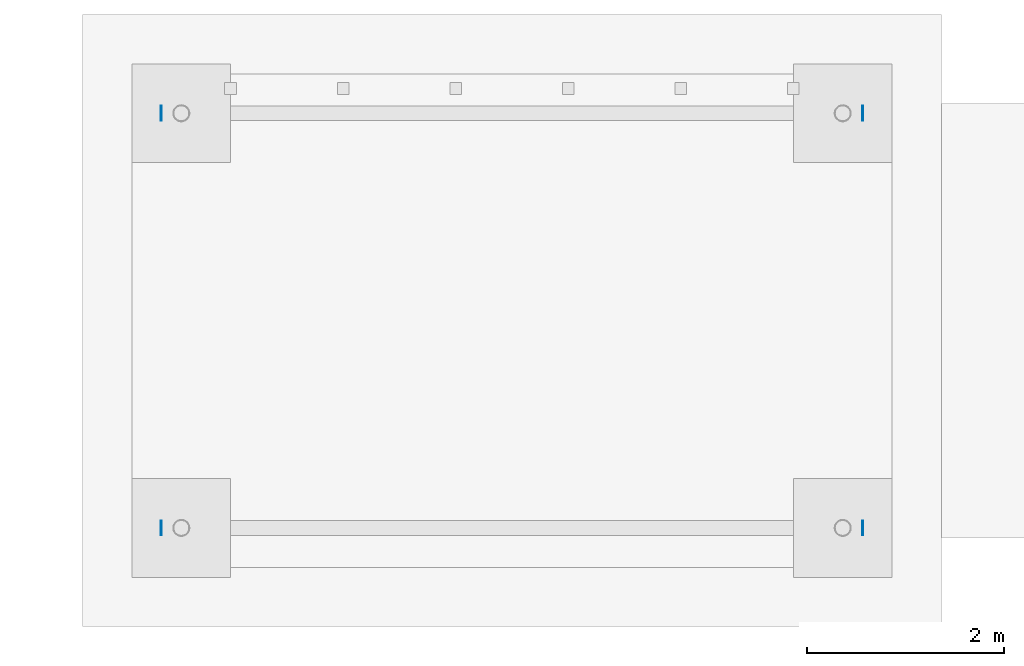
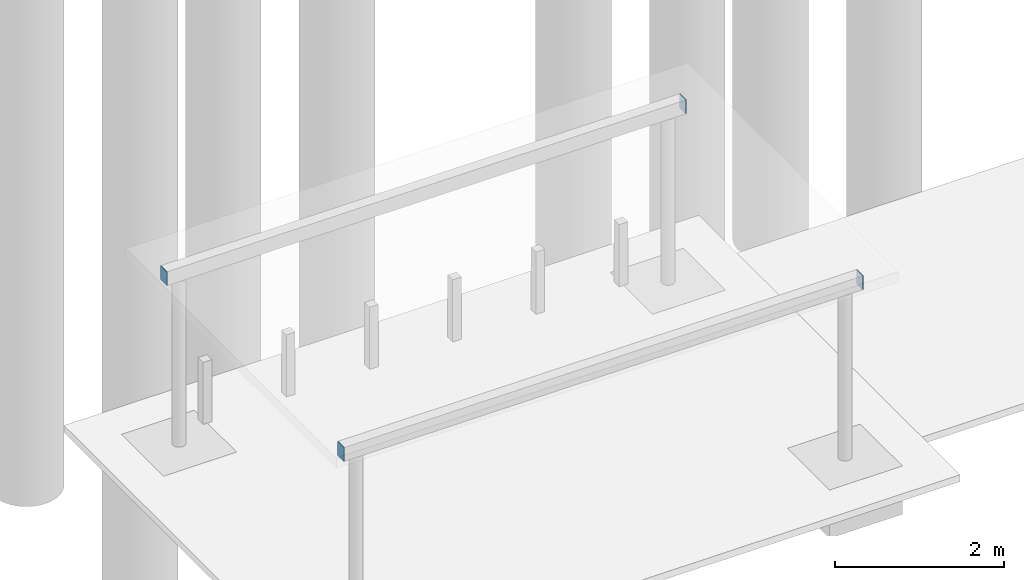
# One storey, part 59 of 99: 4 discrete accessories.
"""IFC4 building model written with IfcOpenShell, lengths in metres."""

import ifcopenshell
import ifcopenshell.guid

model = None  # the IFC model being written
_history = None  # IfcOwnerHistory: only IFC2X3 demands one
_inside = {}  # id of a spatial element -> (the spatial element, [elements in it])
_under = {}  # id of a project, library or spatial element -> (it, [spatial elements below it])
_declared = {}  # id of a project -> (the project, [libraries it declares])
_typed = {}  # id of a type object -> (the type object, [elements of that type])
_made_of = {}  # id of a material, layer set ... -> (it, [elements and type objects made of it])


def new_model(schema):
    """Start an empty IFC model of exactly this schema.

    Asked for "IFC4X3", IfcOpenShell would pick the latest addendum, in which some entities
    have other attributes; the version numbers below select the first issue.
    IFC2X3 requires an IfcOwnerHistory on every rooted entity: one is made here for all.
    """
    global model, _history
    if schema == "IFC4X3":
        model = ifcopenshell.file(schema_version=(4, 3, 0, 0))
    else:
        model = ifcopenshell.file(schema=schema)
    _inside.clear()
    _under.clear()
    _declared.clear()
    _typed.clear()
    _made_of.clear()
    _history = None
    if model.schema == "IFC2X3":
        org = make("IfcOrganization", Name="unknown")
        user = make(
            "IfcPersonAndOrganization",
            ThePerson=make("IfcPerson", FamilyName="unknown"),
            TheOrganization=org,
        )
        app = make(
            "IfcApplication",
            ApplicationDeveloper=org,
            Version="unknown",
            ApplicationFullName="unknown",
            ApplicationIdentifier="unknown",
        )
        _history = make(
            "IfcOwnerHistory",
            OwningUser=user,
            OwningApplication=app,
            ChangeAction="ADDED",
            CreationDate=0,
        )
    return model


def make(cls, **values):
    """One entity of the class cls with the attributes given. An attribute that is None is left unset."""
    return model.create_entity(
        cls, **{name: value for name, value in values.items() if value is not None}
    )


def rooted(cls, **values):
    """An entity with a GlobalId (a new one), such as an element, a storey or a relation."""
    return make(cls, GlobalId=ifcopenshell.guid.new(), OwnerHistory=_history, **values)


def si_unit(unit_type, name, prefix=None):
    """IfcSIUnit, for example si_unit("LENGTHUNIT", "METRE", prefix="MILLI")."""
    return make("IfcSIUnit", UnitType=unit_type, Prefix=prefix, Name=name)


def assignment(units):
    """IfcUnitAssignment: the units of a project."""
    return None if units is None else make("IfcUnitAssignment", Units=units)


def point(xyz):
    """IfcCartesianPoint."""
    return None if xyz is None else make("IfcCartesianPoint", Coordinates=xyz)


def direction(xyz):
    """IfcDirection."""
    return None if xyz is None else make("IfcDirection", DirectionRatios=xyz)


def frame(location, z_axis=None, x_axis=None):
    """IfcAxis2Placement3D, a coordinate frame: its origin and axes. An axis left out is left unset."""
    return make(
        "IfcAxis2Placement3D",
        Location=point(location),
        Axis=direction(z_axis),
        RefDirection=direction(x_axis),
    )


def frame_2d(location, x_axis=None):
    """IfcAxis2Placement2D, a coordinate frame in the plane: its origin and x axis."""
    return make(
        "IfcAxis2Placement2D", Location=point(location), RefDirection=direction(x_axis)
    )


def origin():
    """The frame at (0, 0, 0) with its axes left unset."""
    return frame((0.0, 0.0, 0.0))


def origin_2d():
    """The frame at (0, 0) in the plane with its x axis left unset."""
    return frame_2d((0.0, 0.0))


def place(relative_to, where):
    """IfcLocalPlacement: puts the frame where relative to a parent placement (None: the world)."""
    return make(
        "IfcLocalPlacement", PlacementRelTo=relative_to, RelativePlacement=where
    )


def context(
    kind, dimensions, precision=None, world=None, true_north=None, identifier=None
):
    """IfcGeometricRepresentationContext, for example the 3D "Model" context."""
    return make(
        "IfcGeometricRepresentationContext",
        ContextIdentifier=identifier,
        ContextType=kind,
        CoordinateSpaceDimension=dimensions,
        Precision=precision,
        WorldCoordinateSystem=world,
        TrueNorth=true_north,
    )


def subcontext(parent, identifier, kind, view, scale=None):
    """IfcGeometricRepresentationSubContext, for example "Body" below "Model"."""
    return make(
        "IfcGeometricRepresentationSubContext",
        ContextIdentifier=identifier,
        ContextType=kind,
        ParentContext=parent,
        TargetScale=scale,
        TargetView=view,
    )


def project(units=None, contexts=None):
    """IfcProject with its units and contexts."""
    return rooted(
        "IfcProject",
        Name="project",
        RepresentationContexts=contexts,
        UnitsInContext=assignment(units),
    )


def spatial(cls, under=None, at=None, **own):
    """A site, building, storey or space (cls), placed at a placement, below another one or the project."""
    s = rooted(cls, ObjectPlacement=at, **own)
    if under is not None:
        _under.setdefault(under.id(), (under, []))[1].append(s)
    return s


def profile(cls, at=None, kind="AREA", **sizes):
    """A parametric profile (cls). Its sizes go by their IFC names, for example OverallWidth=200.0."""
    return make(cls, ProfileType=kind, Position=at, **sizes)


def rectangle(**sizes):
    """IfcRectangleProfileDef."""
    return profile("IfcRectangleProfileDef", **sizes)


def extrude(swept, where, along, depth):
    """IfcExtrudedAreaSolid: the profile swept, set in the frame where, extruded along a direction by depth."""
    return make(
        "IfcExtrudedAreaSolid",
        SweptArea=swept,
        Position=where,
        ExtrudedDirection=direction(along),
        Depth=depth,
    )


def shape(context_of_items, identifier, shape_type, items):
    """IfcShapeRepresentation: the items that make up one representation, for example the "Body"."""
    return make(
        "IfcShapeRepresentation",
        ContextOfItems=context_of_items,
        RepresentationIdentifier=identifier,
        RepresentationType=shape_type,
        Items=items,
    )


def material(Name=None, Category=None):
    """IfcMaterial."""
    return make("IfcMaterial", Name=Name, Category=Category)


def material_profile(
    of_material, cross_section, Name=None, Category=None, Priority=None
):
    """IfcMaterialProfile: a cross section and its material."""
    return make(
        "IfcMaterialProfile",
        Name=Name,
        Material=of_material,
        Profile=cross_section,
        Priority=Priority,
        Category=Category,
    )


def profile_set(profiles, Name=None, composite=None):
    """IfcMaterialProfileSet."""
    return make(
        "IfcMaterialProfileSet",
        Name=Name,
        MaterialProfiles=profiles,
        CompositeProfile=composite,
    )


def made_of(thing, what):
    """Note that an element or type object is made of a material, layer set ...; save() writes the relation."""
    if what is not None:
        _made_of.setdefault(what.id(), (what, []))[1].append(thing)
    return thing


def type_object(cls, material=None, **own):
    """A type object (cls), such as IfcWallType, which elements share."""
    return made_of(rooted(cls, **own), material)


def element(
    cls,
    number,
    at=None,
    inside=None,
    cuts=None,
    type_object=None,
    material=None,
    context=None,
    identifier="Body",
    shape_type=None,
    held_by="IfcProductDefinitionShape",
    body=None,
    shapes=None,
    **own,
):
    """One element of the class cls, such as IfcWall. Its Tag is "e" and its number.

    at: its placement. inside: the storey or other place that contains it. cuts: it is an
    opening in that element (IfcRelVoidsElement). A single representation is given by context,
    identifier, shape_type and body (its items); several are given by shapes. held_by: the class
    of the entity that holds the representations. save() writes the other relations.
    """
    e = rooted(cls, Tag="e%d" % number, ObjectPlacement=at, **own)
    if body is not None:
        shapes = [shape(context, identifier, shape_type, body)]
    if shapes is not None:
        e.Representation = make(held_by, Representations=shapes)
    if inside is not None:
        _inside.setdefault(inside.id(), (inside, []))[1].append(e)
    if cuts is not None:
        rooted(
            "IfcRelVoidsElement", RelatingBuildingElement=cuts, RelatedOpeningElement=e
        )
    if type_object is not None:
        _typed.setdefault(type_object.id(), (type_object, []))[1].append(e)
    return made_of(e, material)


def aggregate(whole, parts):
    """IfcRelAggregates: a whole, such as a stair, and the parts it consists of."""
    return rooted("IfcRelAggregates", RelatingObject=whole, RelatedObjects=parts)


def save(model, path):
    """Write the relations noted so far, then the file.

    IfcRelAggregates (storeys below a building ...), IfcRelContainedInSpatialStructure (elements
    in a storey), IfcRelDefinesByType, IfcRelAssociatesMaterial and IfcRelDeclares: one each for
    every whole, place, type object, material and project.
    """
    for whole, parts in _under.values():
        aggregate(whole, parts)
    for where, things in _inside.values():
        rooted(
            "IfcRelContainedInSpatialStructure",
            RelatedElements=things,
            RelatingStructure=where,
        )
    for kind, things in _typed.values():
        rooted("IfcRelDefinesByType", RelatedObjects=things, RelatingType=kind)
    for what, things in _made_of.values():
        rooted("IfcRelAssociatesMaterial", RelatedObjects=things, RelatingMaterial=what)
    for by, libraries in _declared.values():
        rooted("IfcRelDeclares", RelatingContext=by, RelatedDefinitions=libraries)
    model.write(path)


model = new_model("IFC4")

# Units and contexts
model_context = context("Model", 3, precision=1e-05, world=origin(), true_north=direction((0.0, 1.0)))
body_context = subcontext(model_context, "Body", "Model", "MODEL_VIEW")
ifc_project = project(units=[si_unit("LENGTHUNIT", "METRE"), si_unit("AREAUNIT", "SQUARE_METRE"), si_unit("VOLUMEUNIT", "CUBIC_METRE"), si_unit("PLANEANGLEUNIT", "RADIAN"), si_unit("MASSUNIT", "GRAM", prefix="KILO")], contexts=[model_context])

# Site, building, storey
site_placement = place(None, origin())
site = spatial("IfcSite", under=ifc_project, at=site_placement, CompositionType="ELEMENT")
building_placement = place(site_placement, origin())
building = spatial("IfcBuilding", under=site, at=building_placement, Name="Cour d'Honneur Mobility Palace", CompositionType="ELEMENT")
storey_placement = place(building_placement, origin())
storey = spatial("IfcBuildingStorey", under=building, at=storey_placement, Name="L00", CompositionType="ELEMENT", Elevation=0.0)

# Discrete accessories
ifc_material = material(Name="Steel S355", Category="steel")
ifc_material_profile = material_profile(ifc_material, rectangle(XDim=0.14990234375, YDim=0.199951171875, at=origin_2d()), Name="PL 200x150x10")
ifc_profile_set = profile_set([ifc_material_profile], Name="Steel S355")
discrete_accessory_type = type_object("IfcDiscreteAccessoryType", Name="End cap plate RHS 200x150x8", PredefinedType="USERDEFINED", material=ifc_profile_set)
for number, where, z_axis, x_axis, name in (
    (1, (114.989990234375, 15.39990234375, 2.5), (1.0, 0.0, 0.0), (0.0, 1.0, 0.0), "End cap plate EC-SB-E1-1"),
    (2, (122.10009765625, 15.39990234375, 2.5), (1.0, 0.0, 0.0), (0.0, 1.0, 0.0), "End cap plate EC-SB-E1-2"),
    (3, (114.989990234375, 19.60009765625, 2.5), (1.0, 0.0, 0.0), (0.0, 1.0, 0.0), "End cap plate EC-SB-E2-1"),
    (4, (122.10009765625, 19.60009765625, 2.5), (1.0, 0.0, 0.0), (0.0, 1.0, 0.0), "End cap plate EC-SB-E2-2"),
):
    element("IfcDiscreteAccessory", number, at=place(storey_placement, frame(where, z_axis=z_axis, x_axis=x_axis)), inside=storey, type_object=discrete_accessory_type, Name=name, ObjectType="END CAP PLATE", PredefinedType="USERDEFINED", context=body_context, shape_type="SweptSolid", body=[
        extrude(rectangle(XDim=0.14990234375, YDim=0.199951171875, at=origin_2d()), origin(), (0.0, 0.0, 1.0), 0.010009765625),
    ])

save(model, "model.ifc")
